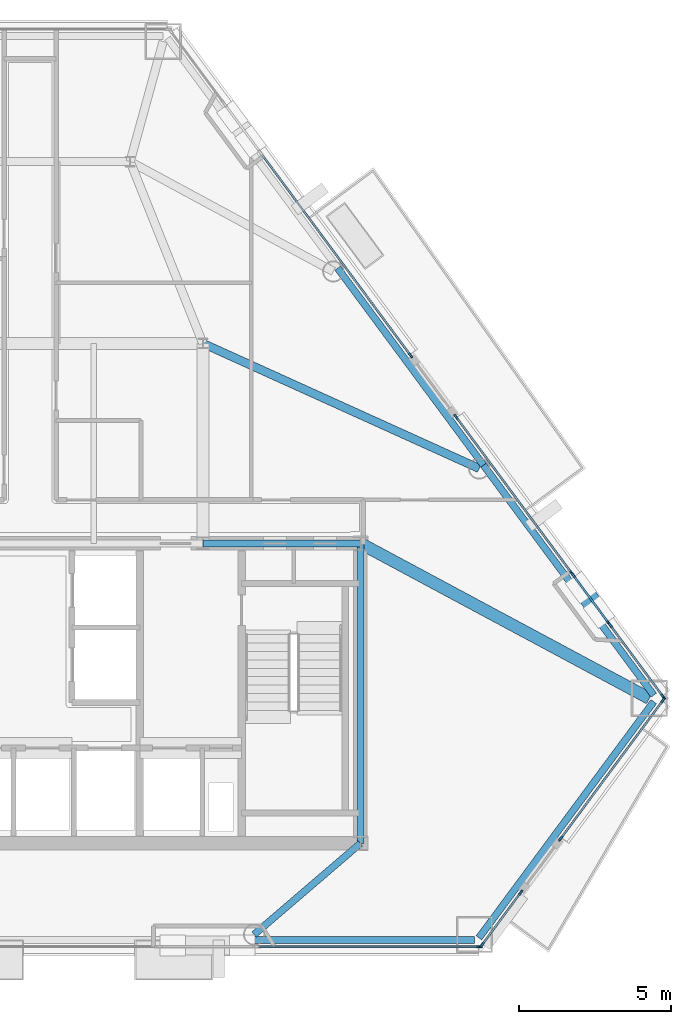
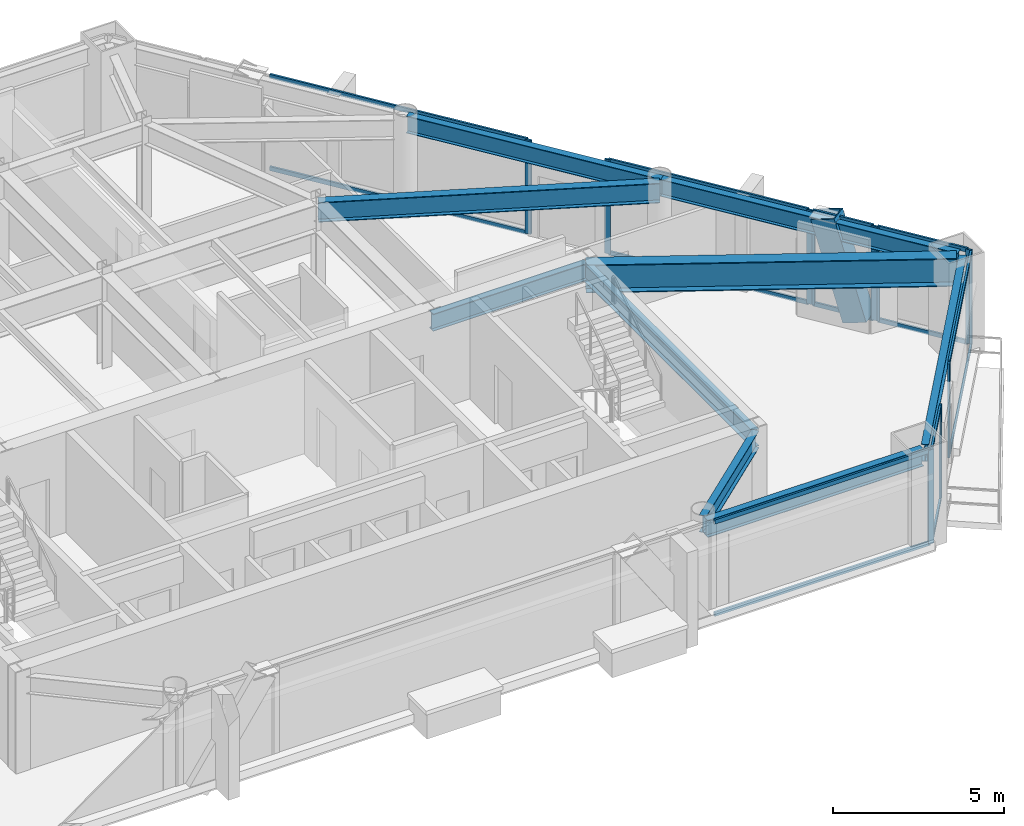
# One storey, part 5 of 11: 27 members, 9 beams, 7 elements without a shape of their own.
"""IFC4 building model written with IfcOpenShell, lengths in metres."""

from ifc_helpers import new_model, si_unit, direction, frame, origin, origin_2d, place, context, subcontext, project, spatial, rectangle, hollow_rectangle, i_section, extrude, material, layer, layer_set, material_profile, profile_set, type_object, element, aggregate, save


model = new_model("IFC4")

# Units and contexts
model_context = context("Model", 3, precision=1e-05, world=origin(), true_north=direction((0.0, 1.0)))
body_context = subcontext(model_context, "Body", "Model", "MODEL_VIEW")
ifc_project = project(units=[si_unit("LENGTHUNIT", "METRE"), si_unit("AREAUNIT", "SQUARE_METRE"), si_unit("VOLUMEUNIT", "CUBIC_METRE"), si_unit("PLANEANGLEUNIT", "RADIAN"), si_unit("MASSUNIT", "GRAM", prefix="KILO")], contexts=[model_context])

# Site, building, storey
site_placement = place(None, origin())
site = spatial("IfcSite", under=ifc_project, at=site_placement, CompositionType="ELEMENT")
building_placement = place(site_placement, origin())
building = spatial("IfcBuilding", under=site, at=building_placement, Name="Talgorran Terracotta Tower", CompositionType="ELEMENT")
storey_placement = place(building_placement, frame((0.0, 0.0, 103.199951171875)))
storey = spatial("IfcBuildingStorey", under=building, at=storey_placement, Name="L26", CompositionType="ELEMENT", Elevation=103.199951171875)

# Beams
ifc_material_1 = material(Name="Steel Grade 350 (350L0)", Category="steel")
ifc_material_profile_1 = material_profile(ifc_material_1, i_section(OverallWidth=0.39990234375, OverallDepth=1.0, WebThickness=0.01611328125, FlangeThickness=0.031005859375, at=origin_2d()), Name="1000WB296")
ifc_profile_set_1 = profile_set([ifc_material_profile_1], Name="Steel Grade 350 (350L0)")
beam_type_1 = type_object("IfcBeamType", Name="BM_1000WB296", PredefinedType="BEAM", material=ifc_profile_set_1)
beam_1_placement = place(storey_placement, frame((12.39990234375, -4.199951171875, 2.85009765625), z_axis=(0.88117219048, -0.472795485093, 0.0), x_axis=(0.472795485093, 0.88117219048, 0.0)))
element("IfcBeam", 1, at=beam_1_placement, inside=storey, type_object=beam_type_1, Name="L26 Floor Girder G18", PredefinedType="BEAM", context=body_context, shape_type="SweptSolid", body=[
    extrude(i_section(OverallWidth=0.39990234375, OverallDepth=1.0, WebThickness=0.01611328125, FlangeThickness=0.031005859375, at=origin_2d()), origin(), (0.0, 0.0, 1.0), 10.820068359375),
])
ifc_material_2 = material(Name="Steel S355 (300PLUS)", Category="steel")
ifc_material_profile_2 = material_profile(ifc_material_2, i_section(OverallWidth=0.27490234375, OverallDepth=0.7080078125, WebThickness=0.011962890625, FlangeThickness=0.02490234375, at=origin_2d()), Name="700WB173")
ifc_profile_set_2 = profile_set([ifc_material_profile_2], Name="Steel S355 (300PLUS)")
beam_type_2 = type_object("IfcBeamType", Name="BM_700WB173", PredefinedType="BEAM", material=ifc_profile_set_2)
beam_2_placement = place(storey_placement, frame((7.199951171875, 2.39990234375, 2.99609375), z_axis=(0.910987725051, -0.412433467126, 0.0), x_axis=(0.412433467126, 0.910987725051, 0.0)))
element("IfcBeam", 2, at=beam_2_placement, inside=storey, type_object=beam_type_2, Name="L26 Floor Girder G07", PredefinedType="BEAM", context=body_context, shape_type="SweptSolid", body=[
    extrude(i_section(OverallWidth=0.27490234375, OverallDepth=0.7080078125, WebThickness=0.011962890625, FlangeThickness=0.02490234375, at=origin_2d()), origin(), (0.0, 0.0, 1.0), 10.010009765625),
])
ifc_material_profile_3 = material_profile(ifc_material_2, i_section(OverallWidth=0.22900390625, OverallDepth=0.611572265625, WebThickness=0.011962890625, FlangeThickness=0.01953125, at=origin_2d()), Name="610UB125")
ifc_profile_set_3 = profile_set([ifc_material_profile_3], Name="Steel S355 (300PLUS)")
beam_type_3 = type_object("IfcBeamType", Name="BM_SP_610UB125", PredefinedType="SPANDREL", material=ifc_profile_set_3)
beam_3_placement = place(storey_placement, frame((8.891845703125, -17.287841796875, 3.044189453125), z_axis=(1.0, 0.0, 0.0), x_axis=(0.0, 1.0, 0.0)))
element("IfcBeam", 3, at=beam_3_placement, inside=storey, type_object=beam_type_3, Name="L26 Perimeter Spandrel Beam FC2-MC3", PredefinedType="SPANDREL", context=body_context, shape_type="SweptSolid", body=[
    extrude(i_section(OverallWidth=0.22900390625, OverallDepth=0.611572265625, WebThickness=0.011962890625, FlangeThickness=0.01953125, at=origin_2d()), origin(), (0.0, 0.0, 1.0), 7.275146484375),
])
beam_4_placement = place(storey_placement, frame((16.311767578125, -17.21484375, 3.044189453125), z_axis=(0.594914928608, 0.803788671057, 0.0), x_axis=(-0.803788671057, 0.594914928608, 0.0)))
element("IfcBeam", 4, at=beam_4_placement, inside=storey, type_object=beam_type_3, Name="L26 Perimeter Spandrel Beam MC3-MC4", PredefinedType="SPANDREL", context=body_context, shape_type="SweptSolid", body=[
    extrude(i_section(OverallWidth=0.22900390625, OverallDepth=0.611572265625, WebThickness=0.011962890625, FlangeThickness=0.01953125, at=origin_2d()), origin(), (0.0, 0.0, 1.0), 9.6943359375),
])
beam_5_placement = place(storey_placement, frame((22.0791015625, -9.20849609375, 3.044189453125), z_axis=(-0.594926898508, 0.803779811535, 0.0), x_axis=(-0.803779811535, -0.594926898508, 0.0)))
element("IfcBeam", 5, at=beam_5_placement, inside=storey, type_object=beam_type_3, Name="L26 Perimeter Spandrel Beam MC4-FC3", PredefinedType="SPANDREL", context=body_context, shape_type="SweptSolid", body=[
    extrude(i_section(OverallWidth=0.22900390625, OverallDepth=0.611572265625, WebThickness=0.011962890625, FlangeThickness=0.01953125, at=origin_2d()), origin(), (0.0, 0.0, 1.0), 9.439453125),
])
beam_6_placement = place(storey_placement, frame((16.46337890625, -1.621337890625, 3.044189453125), z_axis=(-0.594899157913, 0.803800343316, 0.0), x_axis=(-0.803800343316, -0.594899157913, 0.0)))
element("IfcBeam", 6, at=beam_6_placement, inside=storey, type_object=beam_type_3, Name="L26 Perimeter Spandrel Beam FC3-FC4", PredefinedType="SPANDREL", context=body_context, shape_type="SweptSolid", body=[
    extrude(i_section(OverallWidth=0.22900390625, OverallDepth=0.611572265625, WebThickness=0.011962890625, FlangeThickness=0.01953125, at=origin_2d()), origin(), (0.0, 0.0, 1.0), 8.0908203125),
])
beam_7_placement = place(storey_placement, frame((12.39990234375, -14.10009765625, 3.044189453125), z_axis=(-0.759159629556, -0.650904491345, 0.0), x_axis=(0.650904491345, -0.759159629556, 0.0)))
element("IfcBeam", 7, at=beam_7_placement, inside=storey, type_object=beam_type_3, Name="L26 South-East Core Tie Beam", PredefinedType="SPANDREL", context=body_context, shape_type="SweptSolid", body=[
    extrude(i_section(OverallWidth=0.22900390625, OverallDepth=0.611572265625, WebThickness=0.011962890625, FlangeThickness=0.01953125, at=origin_2d()), origin(), (0.0, 0.0, 1.0), 4.62109375),
])
beam_8_placement = place(storey_placement, frame((12.39990234375, -14.10009765625, 3.044189453125), z_axis=(0.0, 1.0, 0.0), x_axis=(-1.0, 0.0, 0.0)))
element("IfcBeam", 8, at=beam_8_placement, inside=storey, type_object=beam_type_3, Name="L26 Core Frame Beam CFE", PredefinedType="SPANDREL", context=body_context, shape_type="SweptSolid", body=[
    extrude(i_section(OverallWidth=0.22900390625, OverallDepth=0.611572265625, WebThickness=0.011962890625, FlangeThickness=0.01953125, at=origin_2d()), origin(), (0.0, 0.0, 1.0), 9.900146484375),
])
beam_9_placement = place(storey_placement, frame((7.199951171875, -4.199951171875, 3.044189453125), z_axis=(1.0, 0.0, 0.0), x_axis=(0.0, 1.0, 0.0)))
element("IfcBeam", 9, at=beam_9_placement, inside=storey, type_object=beam_type_3, Name="L26 Core Frame Beam CFN4", PredefinedType="SPANDREL", context=body_context, shape_type="SweptSolid", body=[
    extrude(i_section(OverallWidth=0.22900390625, OverallDepth=0.611572265625, WebThickness=0.011962890625, FlangeThickness=0.01953125, at=origin_2d()), origin(), (0.0, 0.0, 1.0), 5.199951171875),
])

# Member
ifc_material_profile_4 = material_profile(ifc_material_1, hollow_rectangle(XDim=0.6201171875, YDim=0.780029296875, WallThickness=0.0419921875, at=origin_2d()), Name="WBOX780X620X42")
ifc_profile_set_4 = profile_set([ifc_material_profile_4], Name="Steel Grade 350 (350L0)")
member_type_1 = type_object("IfcMemberType", Name="MB_MEGA_780", PredefinedType="BRACE", material=ifc_profile_set_4)
member_1_placement = place(storey_placement, frame((20.278076171875, -6.47265625, -0.02490234375), z_axis=(-0.17009895809, 0.229826262144, 0.958251654674), x_axis=(-0.803795867717, -0.594905205089, 0.0)))
element("IfcMember", 10, at=member_1_placement, inside=storey, type_object=member_type_1, Name="L26 Exterior Face Mega-Brace MB-2 (NEL)", PredefinedType="BRACE", context=body_context, shape_type="SweptSolid", body=[
    extrude(hollow_rectangle(XDim=0.6201171875, YDim=0.780029296875, WallThickness=0.0419921875, at=origin_2d()), origin(), (0.0, 0.0, 1.0), 3.548095703125),
])

# Curtain wall, member
ifc_material_3 = material(Name="Unitised Low-E Double Glazing", Category="glass")
ifc_layer = layer(ifc_material_3, 0.199951171875, Name="CW_SYS2_RES_LOW")
ifc_layer_set = layer_set([ifc_layer], Name="Unitised Low-E Double Glazing")
curtain_wall_type = type_object("IfcCurtainWallType", Name="CW_SYS2_RES_LOW", PredefinedType="NOTDEFINED", material=ifc_layer_set)
curtain_wall_1_placement = place(storey_placement, origin())
curtain_wall_1 = element("IfcCurtainWall", 11, at=curtain_wall_1_placement, inside=storey, type_object=curtain_wall_type, Name="CW-L26-F1E", PredefinedType="NOTDEFINED")
ifc_material_4 = material(Name="Architectural Aluminium 6063-T6", Category="aluminium")
ifc_material_profile_5 = material_profile(ifc_material_4, rectangle(XDim=0.06494140625, YDim=0.18505859375, at=origin_2d()), Name="CWM65X185")
ifc_profile_set_5 = profile_set([ifc_material_profile_5], Name="Architectural Aluminium 6063-T6")
member_type_2 = type_object("IfcMemberType", Name="MUL_65X185", PredefinedType="MULLION", material=ifc_profile_set_5)
member_2_placement = place(storey_placement, frame((16.336181640625, -17.5078125, 0.0), z_axis=(0.0, 0.0, 1.0), x_axis=(0.0, 1.0, 0.0)))
member_2 = element("IfcMember", 12, at=member_2_placement, type_object=member_type_2, Name="CW-L26-1E mullion 2", PredefinedType="MULLION", context=body_context, shape_type="SweptSolid", body=[
    extrude(rectangle(XDim=0.06494140625, YDim=0.18505859375, at=origin_2d()), origin(), (0.0, 0.0, 1.0), 3.35009765625),
])

# Curtain wall, members
curtain_wall_2_placement = place(storey_placement, origin())
curtain_wall_2 = element("IfcCurtainWall", 13, at=curtain_wall_2_placement, inside=storey, type_object=curtain_wall_type, Name="CW-L26-F30", PredefinedType="NOTDEFINED")
member_3_placement = place(storey_placement, frame((16.41162109375, -17.449462890625, 0.0), z_axis=(0.0, 0.0, 1.0), x_axis=(-0.803790399844, 0.594912592839, 0.0)))
member_3 = element("IfcMember", 14, at=member_3_placement, type_object=member_type_2, Name="CW-L26-30 mullion 1", PredefinedType="MULLION", context=body_context, shape_type="SweptSolid", body=[
    extrude(rectangle(XDim=0.06494140625, YDim=0.18505859375, at=origin_2d()), origin(), (0.0, 0.0, 1.0), 3.35009765625),
])
member_4_placement = place(storey_placement, frame((17.687744140625, -15.725341796875, 0.0), z_axis=(0.0, 0.0, 1.0), x_axis=(-0.803790399844, 0.594912592839, 0.0)))
member_4 = element("IfcMember", 15, at=member_4_placement, type_object=member_type_2, Name="CW-L26-30 mullion 2", PredefinedType="MULLION", context=body_context, shape_type="SweptSolid", body=[
    extrude(rectangle(XDim=0.06494140625, YDim=0.18505859375, at=origin_2d()), origin(), (0.0, 0.0, 1.0), 3.35009765625),
])

curtain_wall_3_placement = place(storey_placement, origin())
curtain_wall_3 = element("IfcCurtainWall", 16, at=curtain_wall_3_placement, inside=storey, type_object=curtain_wall_type, Name="CW-L26-F31", PredefinedType="NOTDEFINED")
member_5_placement = place(storey_placement, frame((19.011474609375, -13.93701171875, 0.0), z_axis=(0.0, 0.0, 1.0), x_axis=(-0.8037915991, 0.594910972512, 0.0)))
member_5 = element("IfcMember", 17, at=member_5_placement, type_object=member_type_2, Name="CW-L26-31 mullion 1", PredefinedType="MULLION", context=body_context, shape_type="SweptSolid", body=[
    extrude(rectangle(XDim=0.06494140625, YDim=0.18505859375, at=origin_2d()), origin(), (0.0, 0.0, 1.0), 3.35009765625),
])
member_6_placement = place(storey_placement, frame((22.388671875, -9.3740234375, 0.0), z_axis=(0.0, 0.0, 1.0), x_axis=(-0.8037915991, 0.594910972512, 0.0)))
member_6 = element("IfcMember", 18, at=member_6_placement, type_object=member_type_2, Name="CW-L26-31 mullion 2", PredefinedType="MULLION", context=body_context, shape_type="SweptSolid", body=[
    extrude(rectangle(XDim=0.06494140625, YDim=0.18505859375, at=origin_2d()), origin(), (0.0, 0.0, 1.0), 3.35009765625),
])

curtain_wall_4_placement = place(storey_placement, origin())
curtain_wall_4 = element("IfcCurtainWall", 19, at=curtain_wall_4_placement, inside=storey, type_object=curtain_wall_type, Name="CW-L26-F40", PredefinedType="NOTDEFINED")
member_7_placement = place(storey_placement, frame((22.388671875, -9.25732421875, 0.0), z_axis=(0.0, 0.0, 1.0), x_axis=(-0.803782876966, -0.594922756915, 0.0)))
member_7 = element("IfcMember", 20, at=member_7_placement, type_object=member_type_2, Name="CW-L26-40 mullion 1", PredefinedType="MULLION", context=body_context, shape_type="SweptSolid", body=[
    extrude(rectangle(XDim=0.06494140625, YDim=0.18505859375, at=origin_2d()), origin(), (0.0, 0.0, 1.0), 3.35009765625),
])
member_8_placement = place(storey_placement, frame((20.64404296875, -6.89990234375, 0.0), z_axis=(0.0, 0.0, 1.0), x_axis=(-0.803782876966, -0.594922756915, 0.0)))
member_8 = element("IfcMember", 21, at=member_8_placement, type_object=member_type_2, Name="CW-L26-40 mullion 2", PredefinedType="MULLION", context=body_context, shape_type="SweptSolid", body=[
    extrude(rectangle(XDim=0.06494140625, YDim=0.18505859375, at=origin_2d()), origin(), (0.0, 0.0, 1.0), 3.35009765625),
])

curtain_wall_5_placement = place(storey_placement, origin())
curtain_wall_5 = element("IfcCurtainWall", 22, at=curtain_wall_5_placement, inside=storey, type_object=curtain_wall_type, Name="CW-L26-F40B", PredefinedType="NOTDEFINED")
member_9_placement = place(storey_placement, frame((20.599365234375, -6.839599609375, 0.0), z_axis=(0.0, 0.0, 1.0), x_axis=(-0.803791095185, -0.594911653358, 0.0)))
member_9 = element("IfcMember", 23, at=member_9_placement, type_object=member_type_2, Name="CW-L26-40B mullion 1", PredefinedType="MULLION", context=body_context, shape_type="SweptSolid", body=[
    extrude(rectangle(XDim=0.06494140625, YDim=0.18505859375, at=origin_2d()), origin(), (0.0, 0.0, 1.0), 3.35009765625),
])
member_10_placement = place(storey_placement, frame((19.41748046875, -5.24267578125, 0.0), z_axis=(0.0, 0.0, 1.0), x_axis=(-0.803791095185, -0.594911653358, 0.0)))
member_10 = element("IfcMember", 24, at=member_10_placement, type_object=member_type_2, Name="CW-L26-40B mullion 2", PredefinedType="MULLION", context=body_context, shape_type="SweptSolid", body=[
    extrude(rectangle(XDim=0.06494140625, YDim=0.18505859375, at=origin_2d()), origin(), (0.0, 0.0, 1.0), 3.35009765625),
])

curtain_wall_6_placement = place(storey_placement, origin())
curtain_wall_6 = element("IfcCurtainWall", 25, at=curtain_wall_6_placement, inside=storey, type_object=curtain_wall_type, Name="CW-L26-F40C", PredefinedType="NOTDEFINED")
member_11_placement = place(storey_placement, frame((19.372802734375, -5.182373046875, 0.0), z_axis=(0.0, 0.0, 1.0), x_axis=(-0.803793508995, -0.594908392022, 0.0)))
member_11 = element("IfcMember", 26, at=member_11_placement, type_object=member_type_2, Name="CW-L26-40C mullion 1", PredefinedType="MULLION", context=body_context, shape_type="SweptSolid", body=[
    extrude(rectangle(XDim=0.06494140625, YDim=0.18505859375, at=origin_2d()), origin(), (0.0, 0.0, 1.0), 3.35009765625),
])
member_12_placement = place(storey_placement, frame((15.554931640625, -0.02392578125, 0.0), z_axis=(0.0, 0.0, 1.0), x_axis=(-0.803793508995, -0.594908392022, 0.0)))
member_12 = element("IfcMember", 27, at=member_12_placement, type_object=member_type_2, Name="CW-L26-40C mullion 2", PredefinedType="MULLION", context=body_context, shape_type="SweptSolid", body=[
    extrude(rectangle(XDim=0.06494140625, YDim=0.18505859375, at=origin_2d()), origin(), (0.0, 0.0, 1.0), 3.35009765625),
])

# Curtain wall, member
curtain_wall_7_placement = place(storey_placement, origin())
curtain_wall_7 = element("IfcCurtainWall", 28, at=curtain_wall_7_placement, inside=storey, type_object=curtain_wall_type, Name="CW-L26-F41", PredefinedType="NOTDEFINED")
member_13_placement = place(storey_placement, frame((14.052978515625, 2.005615234375, 0.0), z_axis=(0.0, 0.0, 1.0), x_axis=(-0.803792554827, -0.594909681216, 0.0)))
member_13 = element("IfcMember", 29, at=member_13_placement, type_object=member_type_2, Name="CW-L26-41 mullion 1", PredefinedType="MULLION", context=body_context, shape_type="SweptSolid", body=[
    extrude(rectangle(XDim=0.06494140625, YDim=0.18505859375, at=origin_2d()), origin(), (0.0, 0.0, 1.0), 3.35009765625),
])

# Member
ifc_material_profile_6 = material_profile(ifc_material_4, rectangle(XDim=0.06494140625, YDim=0.14990234375, at=origin_2d()), Name="CWT65X150")
ifc_profile_set_6 = profile_set([ifc_material_profile_6], Name="Architectural Aluminium 6063-T6")
member_type_3 = type_object("IfcMemberType", Name="TRN_65X150", PredefinedType="USERDEFINED", material=ifc_profile_set_6)
member_14_placement = place(storey_placement, frame((9.044677734375, -17.5078125, 0.032470703125), z_axis=(1.0, 0.0, 0.0), x_axis=(0.0, 1.0, 0.0)))
member_14 = element("IfcMember", 30, at=member_14_placement, type_object=member_type_3, Name="CW-L26-1E transom 1.1", ObjectType="TRANSOM", PredefinedType="USERDEFINED", context=body_context, shape_type="SweptSolid", body=[
    extrude(rectangle(XDim=0.06494140625, YDim=0.14990234375, at=origin_2d()), origin(), (0.0, 0.0, 1.0), 7.259033203125),
])

member_15_placement = place(storey_placement, frame((9.044677734375, -17.5078125, 3.317626953125), z_axis=(1.0, 0.0, 0.0), x_axis=(0.0, 1.0, 0.0)))
member_15 = element("IfcMember", 31, at=member_15_placement, type_object=member_type_3, Name="CW-L26-1E transom 1.2", ObjectType="TRANSOM", PredefinedType="USERDEFINED", context=body_context, shape_type="SweptSolid", body=[
    extrude(rectangle(XDim=0.06494140625, YDim=0.14990234375, at=origin_2d()), origin(), (0.0, 0.0, 1.0), 7.259033203125),
])

aggregate(curtain_wall_1, [member_2, member_14, member_15])

member_16_placement = place(storey_placement, frame((16.43115234375, -17.42333984375, 0.032470703125), z_axis=(0.594879410958, 0.803814957822, 0.0), x_axis=(-0.803814957822, 0.594879410958, 0.0)))
member_16 = element("IfcMember", 32, at=member_16_placement, type_object=member_type_3, Name="CW-L26-30 transom 1.1", ObjectType="TRANSOM", PredefinedType="USERDEFINED", context=body_context, shape_type="SweptSolid", body=[
    extrude(rectangle(XDim=0.06494140625, YDim=0.14990234375, at=origin_2d()), origin(), (0.0, 0.0, 1.0), 2.079833984375),
])

member_17_placement = place(storey_placement, frame((16.43115234375, -17.42333984375, 3.317626953125), z_axis=(0.594879410958, 0.803814957822, 0.0), x_axis=(-0.803814957822, 0.594879410958, 0.0)))
member_17 = element("IfcMember", 33, at=member_17_placement, type_object=member_type_3, Name="CW-L26-30 transom 1.2", ObjectType="TRANSOM", PredefinedType="USERDEFINED", context=body_context, shape_type="SweptSolid", body=[
    extrude(rectangle(XDim=0.06494140625, YDim=0.14990234375, at=origin_2d()), origin(), (0.0, 0.0, 1.0), 2.079833984375),
])

aggregate(curtain_wall_2, [member_3, member_4, member_16, member_17])

member_18_placement = place(storey_placement, frame((19.03076171875, -13.910888671875, 0.032470703125), z_axis=(0.594920588401, 0.803784481996, 0.0), x_axis=(-0.803784481996, 0.594920588401, 0.0)))
member_18 = element("IfcMember", 34, at=member_18_placement, type_object=member_type_3, Name="CW-L26-31 transom 1.1", ObjectType="TRANSOM", PredefinedType="USERDEFINED", context=body_context, shape_type="SweptSolid", body=[
    extrude(rectangle(XDim=0.06494140625, YDim=0.14990234375, at=origin_2d()), origin(), (0.0, 0.0, 1.0), 5.61181640625),
])

member_19_placement = place(storey_placement, frame((19.03076171875, -13.910888671875, 3.317626953125), z_axis=(0.594920588401, 0.803784481996, 0.0), x_axis=(-0.803784481996, 0.594920588401, 0.0)))
member_19 = element("IfcMember", 35, at=member_19_placement, type_object=member_type_3, Name="CW-L26-31 transom 1.2", ObjectType="TRANSOM", PredefinedType="USERDEFINED", context=body_context, shape_type="SweptSolid", body=[
    extrude(rectangle(XDim=0.06494140625, YDim=0.14990234375, at=origin_2d()), origin(), (0.0, 0.0, 1.0), 5.61181640625),
])

aggregate(curtain_wall_3, [member_5, member_6, member_18, member_19])

member_20_placement = place(storey_placement, frame((22.369384765625, -9.231201171875, 0.032470703125), z_axis=(-0.594893611805, 0.803804448006, 0.0), x_axis=(-0.803804448006, -0.594893611805, 0.0)))
member_20 = element("IfcMember", 36, at=member_20_placement, type_object=member_type_3, Name="CW-L26-40 transom 1.1", ObjectType="TRANSOM", PredefinedType="USERDEFINED", context=body_context, shape_type="SweptSolid", body=[
    extrude(rectangle(XDim=0.06494140625, YDim=0.14990234375, at=origin_2d()), origin(), (0.0, 0.0, 1.0), 2.867919921875),
])

member_21_placement = place(storey_placement, frame((22.369384765625, -9.231201171875, 3.317626953125), z_axis=(-0.594893611805, 0.803804448006, 0.0), x_axis=(-0.803804448006, -0.594893611805, 0.0)))
member_21 = element("IfcMember", 37, at=member_21_placement, type_object=member_type_3, Name="CW-L26-40 transom 1.2", ObjectType="TRANSOM", PredefinedType="USERDEFINED", context=body_context, shape_type="SweptSolid", body=[
    extrude(rectangle(XDim=0.06494140625, YDim=0.14990234375, at=origin_2d()), origin(), (0.0, 0.0, 1.0), 2.867919921875),
])

aggregate(curtain_wall_4, [member_7, member_8, member_20, member_21])

member_22_placement = place(storey_placement, frame((20.580078125, -6.8134765625, 0.032470703125), z_axis=(-0.594926732123, 0.803779934687, 0.0), x_axis=(-0.803779934687, -0.594926732123, 0.0)))
member_22 = element("IfcMember", 38, at=member_22_placement, type_object=member_type_3, Name="CW-L26-40B transom 1.1", ObjectType="TRANSOM", PredefinedType="USERDEFINED", context=body_context, shape_type="SweptSolid", body=[
    extrude(rectangle(XDim=0.06494140625, YDim=0.14990234375, at=origin_2d()), origin(), (0.0, 0.0, 1.0), 1.921875),
])

member_23_placement = place(storey_placement, frame((20.580078125, -6.8134765625, 3.317626953125), z_axis=(-0.594926732123, 0.803779934687, 0.0), x_axis=(-0.803779934687, -0.594926732123, 0.0)))
member_23 = element("IfcMember", 39, at=member_23_placement, type_object=member_type_3, Name="CW-L26-40B transom 1.2", ObjectType="TRANSOM", PredefinedType="USERDEFINED", context=body_context, shape_type="SweptSolid", body=[
    extrude(rectangle(XDim=0.06494140625, YDim=0.14990234375, at=origin_2d()), origin(), (0.0, 0.0, 1.0), 1.921875),
])

aggregate(curtain_wall_5, [member_9, member_10, member_22, member_23])

member_24_placement = place(storey_placement, frame((19.353515625, -5.15625, 0.032470703125), z_axis=(-0.594890187737, 0.803806982138, 0.0), x_axis=(-0.803806982138, -0.594890187737, 0.0)))
member_24 = element("IfcMember", 40, at=member_24_placement, type_object=member_type_3, Name="CW-L26-40C transom 1.1", ObjectType="TRANSOM", PredefinedType="USERDEFINED", context=body_context, shape_type="SweptSolid", body=[
    extrude(rectangle(XDim=0.06494140625, YDim=0.14990234375, at=origin_2d()), origin(), (0.0, 0.0, 1.0), 6.3525390625),
])

member_25_placement = place(storey_placement, frame((19.353515625, -5.15625, 3.317626953125), z_axis=(-0.594890187737, 0.803806982138, 0.0), x_axis=(-0.803806982138, -0.594890187737, 0.0)))
member_25 = element("IfcMember", 41, at=member_25_placement, type_object=member_type_3, Name="CW-L26-40C transom 1.2", ObjectType="TRANSOM", PredefinedType="USERDEFINED", context=body_context, shape_type="SweptSolid", body=[
    extrude(rectangle(XDim=0.06494140625, YDim=0.14990234375, at=origin_2d()), origin(), (0.0, 0.0, 1.0), 6.3525390625),
])

aggregate(curtain_wall_6, [member_11, member_12, member_24, member_25])

member_26_placement = place(storey_placement, frame((14.033447265625, 2.03173828125, 0.032470703125), z_axis=(-0.594919330447, 0.803785413068, 0.0), x_axis=(-0.803785413068, -0.594919330447, 0.0)))
member_26 = element("IfcMember", 42, at=member_26_placement, type_object=member_type_3, Name="CW-L26-41 transom 1.1", ObjectType="TRANSOM", PredefinedType="USERDEFINED", context=body_context, shape_type="SweptSolid", body=[
    extrude(rectangle(XDim=0.06494140625, YDim=0.14990234375, at=origin_2d()), origin(), (0.0, 0.0, 1.0), 8.1845703125),
])

member_27_placement = place(storey_placement, frame((14.033447265625, 2.03173828125, 3.317626953125), z_axis=(-0.594919330447, 0.803785413068, 0.0), x_axis=(-0.803785413068, -0.594919330447, 0.0)))
member_27 = element("IfcMember", 43, at=member_27_placement, type_object=member_type_3, Name="CW-L26-41 transom 1.2", ObjectType="TRANSOM", PredefinedType="USERDEFINED", context=body_context, shape_type="SweptSolid", body=[
    extrude(rectangle(XDim=0.06494140625, YDim=0.14990234375, at=origin_2d()), origin(), (0.0, 0.0, 1.0), 8.1845703125),
])

aggregate(curtain_wall_7, [member_13, member_26, member_27])

save(model, "model.ifc")
